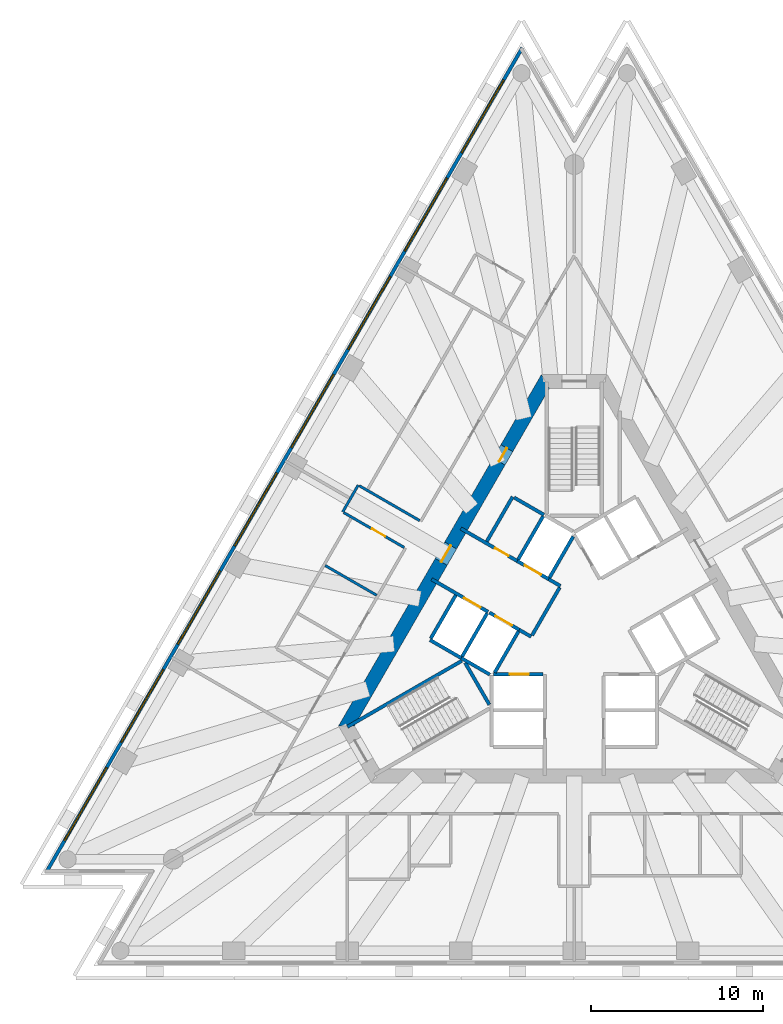
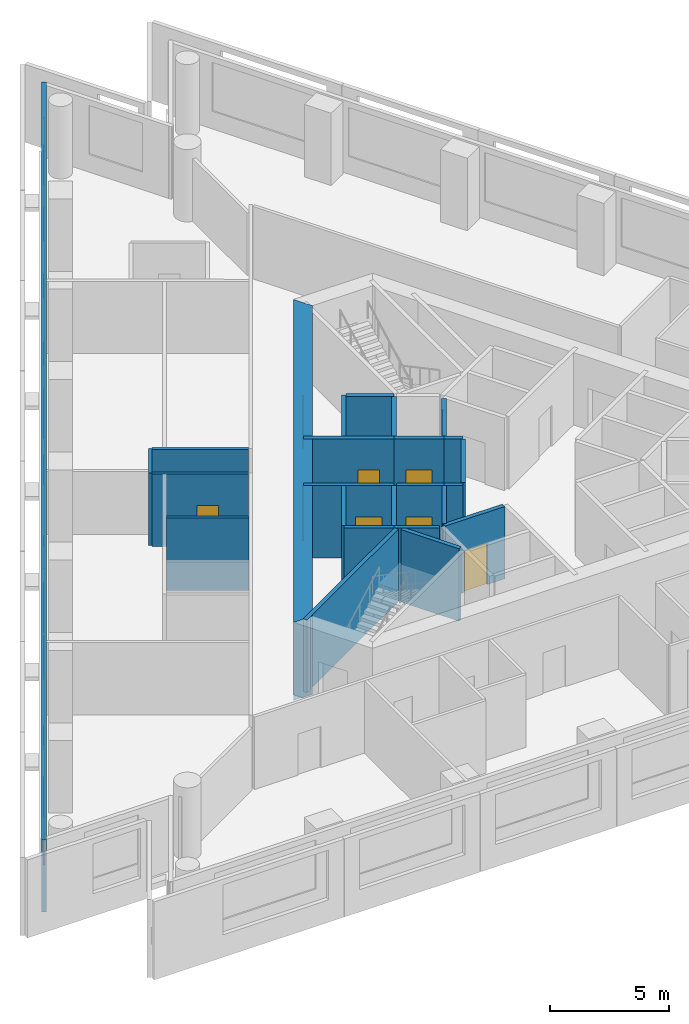
# One storey, part 4 of 10: 25 walls, 8 doors, 8 windows, 16 openings.
"""IFC4 building model written with IfcOpenShell, lengths in metres."""

from ifc_helpers import new_model, si_unit, direction, frame, frame_2d, origin, place, context, subcontext, project, spatial, polyline, rectangle, outline, extrude, material, layer, layer_set, layer_usage, type_object, element, fill, save


model = new_model("IFC4")

# Units and contexts
model_context = context("Model", 3, precision=1e-05, world=origin(), true_north=direction((0.0, 1.0)))
body_context = subcontext(model_context, "Body", "Model", "MODEL_VIEW")
ifc_project = project(units=[si_unit("LENGTHUNIT", "METRE"), si_unit("AREAUNIT", "SQUARE_METRE"), si_unit("VOLUMEUNIT", "CUBIC_METRE"), si_unit("PLANEANGLEUNIT", "RADIAN"), si_unit("MASSUNIT", "GRAM", prefix="KILO")], contexts=[model_context])

# Site, building, storey
site_placement = place(None, origin())
site = spatial("IfcSite", under=ifc_project, at=site_placement, CompositionType="ELEMENT")
building_placement = place(site_placement, origin())
building = spatial("IfcBuilding", under=site, at=building_placement, Name="Triada Interchange Tower", CompositionType="ELEMENT")
storey_placement = place(building_placement, frame((0.0, 0.0, 152.300048828125)))
storey = spatial("IfcBuildingStorey", under=building, at=storey_placement, Name="L35", CompositionType="ELEMENT", Elevation=152.300048828125)

# Walls
ifc_material_1 = material(Name="Concrete C30/37", Category="concrete")
ifc_layer_1 = layer(ifc_material_1, 0.199951171875)
ifc_layer_set_1 = layer_set([ifc_layer_1], Name="CORE WALL 200 EI 120")
wall_type_1 = type_object("IfcWallType", Name="CORE WALL 200 EI 120", PredefinedType="SOLIDWALL", material=ifc_layer_set_1)
wall_1_placement = place(storey_placement, frame((-8.3759765625, -0.70703125, 0.0), z_axis=(0.0, 0.0, 1.0), x_axis=(0.866067520717, -0.499927044236, 0.0)))
element("IfcWall", 1, at=wall_1_placement, inside=storey, type_object=wall_type_1, Name="Wall L35 51", PredefinedType="SOLIDWALL", context=body_context, shape_type="SweptSolid", body=[
    extrude(rectangle(XDim=2.100341796875, YDim=0.199951171875, at=frame_2d((1.05029296875, 0.0))), origin(), (0.0, 0.0, 1.0), 3.699951171875),
])
wall_2_placement = place(storey_placement, frame((-8.325927734375, -0.6201171875, 0.0), z_axis=(0.0, 0.0, 1.0), x_axis=(0.500023687443, 0.866011727401, 0.0)))
element("IfcWall", 2, at=wall_2_placement, inside=storey, type_object=wall_type_1, Name="Wall L35 52", PredefinedType="SOLIDWALL", context=body_context, shape_type="SweptSolid", body=[
    extrude(rectangle(XDim=2.899658203125, YDim=0.199951171875, at=frame_2d((1.44970703125, 0.0))), origin(), (0.0, 0.0, 1.0), 3.699951171875),
])

# Wall, opening, door
wall_3_placement = place(storey_placement, frame((-4.676025390625, -2.699951171875, 0.0), z_axis=(0.0, 0.0, 1.0), x_axis=(1.0, 0.0, 0.0)))
wall_3 = element("IfcWall", 3, at=wall_3_placement, inside=storey, type_object=wall_type_1, Name="Wall L35 59", PredefinedType="SOLIDWALL", context=body_context, shape_type="SweptSolid", body=[
    extrude(rectangle(XDim=2.873046875, YDim=0.199951171875, at=frame_2d((1.4365234375, 0.0))), origin(), (0.0, 0.0, 1.0), 3.699951171875),
])
opening_1_placement = place(wall_3_placement, frame((0.93701171875, 0.0, 0.0)))
opening_1 = element("IfcOpeningElement", 4, at=opening_1_placement, cuts=wall_3, Name="Opening LD-LR3", PredefinedType="OPENING", context=body_context, shape_type="SweptSolid", body=[
    extrude(rectangle(XDim=1.10009765625, YDim=2.10009765625, at=frame_2d((0.550048828125, 1.050048828125))), frame((0.0, 0.10986328125, 0.0), z_axis=(0.0, -1.0, 0.0), x_axis=(1.0, 0.0, 0.0)), (0.0, 0.0, 1.0), 0.219970703125),
])
ifc_material_2 = material(Name="Steel S235 door leaf", Category="steel")
door_type_1 = type_object("IfcDoorType", Name="LIFT LANDING DOOR 1100 EI 120", OperationType="SLIDING_TO_LEFT", PredefinedType="DOOR", material=ifc_material_2)
door_1_placement = place(opening_1_placement, origin())
door_1 = element("IfcDoor", 5, at=door_1_placement, inside=storey, type_object=door_type_1, Name="LR3 landing door L35", OperationType="SLIDING_TO_LEFT", OverallHeight=2.10009765625, OverallWidth=1.10009765625, PredefinedType="DOOR", context=body_context, shape_type="SweptSolid", body=[
    extrude(rectangle(XDim=1.10009765625, YDim=2.10009765625, at=frame_2d((0.550048828125, 1.050048828125))), frame((0.0, 0.02490234375, 0.0), z_axis=(0.0, -1.0, 0.0), x_axis=(1.0, 0.0, 0.0)), (0.0, 0.0, 1.0), 0.050048828125),
])
fill(opening_1, door_1)

ifc_layer_2 = layer(ifc_material_1, 0.199951171875)
ifc_layer_set_2 = layer_set([ifc_layer_2], Name="CORE WALL 200 EI 180")
wall_type_2 = type_object("IfcWallType", Name="CORE WALL 200 EI 180", PredefinedType="SOLIDWALL", material=ifc_layer_set_2)
wall_4_placement = place(storey_placement, frame((-8.280029296875, 2.818115234375, 0.0), z_axis=(0.0, 0.0, 1.0), x_axis=(0.86600175068, -0.50004096614, 0.0)))
wall_4 = element("IfcWall", 6, at=wall_4_placement, inside=storey, type_object=wall_type_2, Name="Wall L35 73", PredefinedType="SOLIDWALL", context=body_context, shape_type="SweptSolid", body=[
    extrude(rectangle(XDim=3.781982421875, YDim=0.199951171875, at=frame_2d((1.89111328125, 0.0))), origin(), (0.0, 0.0, 1.0), 3.699951171875),
])
opening_2_placement = place(wall_4_placement, frame((2.179931640625, 0.0, 0.0)))
opening_2 = element("IfcOpeningElement", 7, at=opening_2_placement, cuts=wall_4, Name="Opening LD-SV1", PredefinedType="OPENING", context=body_context, shape_type="SweptSolid", body=[
    extrude(rectangle(XDim=1.10009765625, YDim=2.10009765625, at=frame_2d((0.550048828125, 1.050048828125))), frame((0.0, 0.10986328125, 0.0), z_axis=(0.0, -1.0, 0.0), x_axis=(1.0, 0.0, 0.0)), (0.0, 0.0, 1.0), 0.219970703125),
])
door_2_placement = place(opening_2_placement, origin())
door_2 = element("IfcDoor", 8, at=door_2_placement, inside=storey, type_object=door_type_1, Name="SV1 landing door L35", OperationType="SLIDING_TO_LEFT", OverallHeight=2.10009765625, OverallWidth=1.10009765625, PredefinedType="DOOR", context=body_context, shape_type="SweptSolid", body=[
    extrude(rectangle(XDim=1.10009765625, YDim=2.10009765625, at=frame_2d((0.550048828125, 1.050048828125))), frame((0.0, 0.02490234375, 0.0), z_axis=(0.0, -1.0, 0.0), x_axis=(1.0, 0.0, 0.0)), (0.0, 0.0, 1.0), 0.050048828125),
])
fill(opening_2, door_2)

# Wall
wall_5_placement = place(storey_placement, frame((-3.18798828125, -0.1220703125, 0.0), z_axis=(0.0, 0.0, 1.0), x_axis=(0.865705793592, -0.50055317294, 0.0)))
element("IfcWall", 9, at=wall_5_placement, inside=storey, type_object=wall_type_2, Name="Wall L35 74", PredefinedType="SOLIDWALL", context=body_context, shape_type="SweptSolid", body=[
    extrude(rectangle(XDim=0.796875, YDim=0.199951171875, at=frame_2d((0.3984375, 0.0))), origin(), (0.0, 0.0, 1.0), 3.699951171875),
])

# Wall, opening, door
wall_6_placement = place(storey_placement, frame((-6.580078125, 5.761962890625, 0.0), z_axis=(0.0, 0.0, 1.0), x_axis=(0.866029704776, -0.49999255039, 0.0)))
wall_6 = element("IfcWall", 10, at=wall_6_placement, inside=storey, type_object=wall_type_2, Name="Wall L35 75", PredefinedType="SOLIDWALL", context=body_context, shape_type="SweptSolid", body=[
    extrude(rectangle(XDim=3.78173828125, YDim=0.199951171875, at=frame_2d((1.890869140625, 0.0))), origin(), (0.0, 0.0, 1.0), 3.699951171875),
])
opening_3_placement = place(wall_6_placement, frame((2.279052734375, 0.0, 0.0)))
opening_3 = element("IfcOpeningElement", 11, at=opening_3_placement, cuts=wall_6, Name="Opening D35-10", PredefinedType="OPENING", context=body_context, shape_type="SweptSolid", body=[
    extrude(rectangle(XDim=0.89990234375, YDim=2.10009765625, at=frame_2d((0.449951171875, 1.050048828125))), frame((0.0, 0.10986328125, 0.0), z_axis=(0.0, -1.0, 0.0), x_axis=(1.0, 0.0, 0.0)), (0.0, 0.0, 1.0), 0.219970703125),
])
door_type_2 = type_object("IfcDoorType", Name="SERVICE DOOR 900 EI2 90-C5S200", OperationType="NOTDEFINED", PredefinedType="DOOR", material=ifc_material_2)
door_3_placement = place(opening_3_placement, origin())
door_3 = element("IfcDoor", 12, at=door_3_placement, inside=storey, type_object=door_type_2, Name="Door D35-10 L35", OperationType="SINGLE_SWING_LEFT", OverallHeight=2.10009765625, OverallWidth=0.89990234375, PredefinedType="DOOR", context=body_context, shape_type="SweptSolid", body=[
    extrude(rectangle(XDim=0.89990234375, YDim=2.10009765625, at=frame_2d((0.449951171875, 1.050048828125))), frame((0.0, 0.02490234375, 0.0), z_axis=(0.0, -1.0, 0.0), x_axis=(1.0, 0.0, 0.0)), (0.0, 0.0, 1.0), 0.050048828125),
])
fill(opening_3, door_3)

# Walls
wall_7_placement = place(storey_placement, frame((-1.488037109375, 2.822021484375, 0.0), z_axis=(0.0, 0.0, 1.0), x_axis=(0.866236612152, -0.499633997809, 0.0)))
element("IfcWall", 13, at=wall_7_placement, inside=storey, type_object=wall_type_2, Name="Wall L35 76", PredefinedType="SOLIDWALL", context=body_context, shape_type="SweptSolid", body=[
    extrude(rectangle(XDim=0.79638671875, YDim=0.199951171875, at=frame_2d((0.398193359375, 0.0))), origin(), (0.0, 0.0, 1.0), 3.699951171875),
])
wall_8_placement = place(storey_placement, frame((-5.075927734375, 5.009033203125, 0.0), z_axis=(0.0, 0.0, 1.0), x_axis=(0.50002537861, 0.866010750942, 0.0)))
element("IfcWall", 14, at=wall_8_placement, inside=storey, type_object=wall_type_2, Name="Wall L35 77", PredefinedType="SOLIDWALL", context=body_context, shape_type="SweptSolid", body=[
    extrude(rectangle(XDim=2.999755859375, YDim=0.199951171875, at=frame_2d((1.5, 0.0))), origin(), (0.0, 0.0, 1.0), 3.699951171875),
])
wall_9_placement = place(storey_placement, frame((-3.489013671875, 7.556884765625, 0.0), z_axis=(0.0, 0.0, 1.0), x_axis=(0.866010750942, -0.50002537861, 0.0)))
element("IfcWall", 15, at=wall_9_placement, inside=storey, type_object=wall_type_2, Name="Wall L35 78", PredefinedType="SOLIDWALL", context=body_context, shape_type="SweptSolid", body=[
    extrude(rectangle(XDim=2.0, YDim=0.199951171875, at=frame_2d((1.0, 0.0))), origin(), (0.0, 0.0, 1.0), 3.699951171875),
])
wall_10_placement = place(storey_placement, frame((-2.444091796875, -0.43310546875, 0.0), z_axis=(0.0, 0.0, 1.0), x_axis=(0.500035624827, 0.866004834804, 0.0)))
element("IfcWall", 16, at=wall_10_placement, inside=storey, type_object=wall_type_2, Name="Wall L35 79", PredefinedType="SOLIDWALL", context=body_context, shape_type="SweptSolid", body=[
    extrude(rectangle(XDim=3.194091796875, YDim=0.199951171875, at=frame_2d((1.59716796875, 0.0))), origin(), (0.0, 0.0, 1.0), 3.699951171875),
])
wall_11_placement = place(storey_placement, frame((-6.556884765625, -1.757080078125, 0.0), z_axis=(0.0, 0.0, 1.0), x_axis=(0.8659754619, -0.500086491905, 0.0)))
element("IfcWall", 17, at=wall_11_placement, inside=storey, type_object=wall_type_2, Name="Shaft wall FF1 L35 80", PredefinedType="SOLIDWALL", context=body_context, shape_type="SweptSolid", body=[
    extrude(rectangle(XDim=1.915771484375, YDim=0.199951171875, at=frame_2d((0.9580078125, 0.0))), origin(), (0.0, 0.0, 1.0), 3.699951171875),
])
wall_12_placement = place(storey_placement, frame((-6.507080078125, -1.669921875, 0.0), z_axis=(0.0, 0.0, 1.0), x_axis=(0.50012328804, 0.865954211699, 0.0)))
element("IfcWall", 18, at=wall_12_placement, inside=storey, type_object=wall_type_2, Name="Shaft wall FF1 L35 81", PredefinedType="SOLIDWALL", context=body_context, shape_type="SweptSolid", body=[
    extrude(rectangle(XDim=2.899658203125, YDim=0.199951171875, at=frame_2d((1.44970703125, 0.0))), origin(), (0.0, 0.0, 1.0), 3.699951171875),
])

# Wall, opening, door
wall_13_placement = place(storey_placement, frame((-4.919921875, 0.8779296875, 0.0), z_axis=(0.0, 0.0, 1.0), x_axis=(0.866010750942, -0.50002537861, 0.0)))
wall_13 = element("IfcWall", 19, at=wall_13_placement, inside=storey, type_object=wall_type_2, Name="Shaft wall FF1 L35 82", PredefinedType="SOLIDWALL", context=body_context, shape_type="SweptSolid", body=[
    extrude(rectangle(XDim=2.0, YDim=0.199951171875, at=frame_2d((1.0, 0.0))), origin(), (0.0, 0.0, 1.0), 3.699951171875),
])
opening_4_placement = place(wall_13_placement, frame((0.39990234375, 0.0, 0.0)))
opening_4 = element("IfcOpeningElement", 20, at=opening_4_placement, cuts=wall_13, Name="Opening LD-FF1", PredefinedType="OPENING", context=body_context, shape_type="SweptSolid", body=[
    extrude(rectangle(XDim=1.10009765625, YDim=2.10009765625, at=frame_2d((0.550048828125, 1.050048828125))), frame((0.0, 0.10986328125, 0.0), z_axis=(0.0, -1.0, 0.0), x_axis=(1.0, 0.0, 0.0)), (0.0, 0.0, 1.0), 0.219970703125),
])
door_4_placement = place(opening_4_placement, origin())
door_4 = element("IfcDoor", 21, at=door_4_placement, inside=storey, type_object=door_type_1, Name="FF1 landing door L35", OperationType="SLIDING_TO_LEFT", OverallHeight=2.10009765625, OverallWidth=1.10009765625, PredefinedType="DOOR", context=body_context, shape_type="SweptSolid", body=[
    extrude(rectangle(XDim=1.10009765625, YDim=2.10009765625, at=frame_2d((0.550048828125, 1.050048828125))), frame((0.0, 0.02490234375, 0.0), z_axis=(0.0, -1.0, 0.0), x_axis=(1.0, 0.0, 0.0)), (0.0, 0.0, 1.0), 0.050048828125),
])
fill(opening_4, door_4)

# Wall
wall_14_placement = place(storey_placement, frame((-4.618896484375, -2.60009765625, 0.0), z_axis=(0.0, 0.0, 1.0), x_axis=(0.50009492287, 0.865970593103, 0.0)))
element("IfcWall", 22, at=wall_14_placement, inside=storey, type_object=wall_type_2, Name="Shaft wall FF1 L35 83", PredefinedType="SOLIDWALL", context=body_context, shape_type="SweptSolid", body=[
    extrude(rectangle(XDim=2.76123046875, YDim=0.199951171875, at=frame_2d((1.380615234375, 0.0))), origin(), (0.0, 0.0, 1.0), 3.699951171875),
])

# Wall, opening, door
wall_15_placement = place(storey_placement, frame((-3.30908203125, 3.873046875, 0.0), z_axis=(0.0, 0.0, 1.0), x_axis=(0.866098583652, -0.499873227325, 0.0)))
wall_15 = element("IfcWall", 23, at=wall_15_placement, inside=storey, type_object=wall_type_2, Name="Shaft wall FF2 L35 84", PredefinedType="SOLIDWALL", context=body_context, shape_type="SweptSolid", body=[
    extrude(rectangle(XDim=2.1025390625, YDim=0.199951171875, at=frame_2d((1.05126953125, 0.0))), origin(), (0.0, 0.0, 1.0), 3.699951171875),
])
opening_5_placement = place(wall_15_placement, frame((0.501953125, 0.0, 0.0)))
opening_5 = element("IfcOpeningElement", 24, at=opening_5_placement, cuts=wall_15, Name="Opening LD-FF2", PredefinedType="OPENING", context=body_context, shape_type="SweptSolid", body=[
    extrude(rectangle(XDim=1.10009765625, YDim=2.10009765625, at=frame_2d((0.550048828125, 1.050048828125))), frame((0.0, 0.10986328125, 0.0), z_axis=(0.0, -1.0, 0.0), x_axis=(1.0, 0.0, 0.0)), (0.0, 0.0, 1.0), 0.219970703125),
])
door_5_placement = place(opening_5_placement, origin())
door_5 = element("IfcDoor", 25, at=door_5_placement, inside=storey, type_object=door_type_1, Name="FF2 landing door L35", OperationType="SLIDING_TO_LEFT", OverallHeight=2.10009765625, OverallWidth=1.10009765625, PredefinedType="DOOR", context=body_context, shape_type="SweptSolid", body=[
    extrude(rectangle(XDim=1.10009765625, YDim=2.10009765625, at=frame_2d((0.550048828125, 1.050048828125))), frame((0.0, 0.02490234375, 0.0), z_axis=(0.0, -1.0, 0.0), x_axis=(1.0, 0.0, 0.0)), (0.0, 0.0, 1.0), 0.050048828125),
])
fill(opening_5, door_5)

# Walls
wall_16_placement = place(storey_placement, frame((-3.257080078125, 3.958984375, 0.0), z_axis=(0.0, 0.0, 1.0), x_axis=(0.50012328804, 0.865954211699, 0.0)))
element("IfcWall", 26, at=wall_16_placement, inside=storey, type_object=wall_type_2, Name="Shaft wall FF2 L35 85", PredefinedType="SOLIDWALL", context=body_context, shape_type="SweptSolid", body=[
    extrude(rectangle(XDim=2.899658203125, YDim=0.199951171875, at=frame_2d((1.44970703125, 0.0))), origin(), (0.0, 0.0, 1.0), 3.699951171875),
])
wall_17_placement = place(storey_placement, frame((-1.43798828125, 2.908935546875, 0.0), z_axis=(0.0, 0.0, 1.0), x_axis=(0.499829630636, 0.866123744241, 0.0)))
element("IfcWall", 27, at=wall_17_placement, inside=storey, type_object=wall_type_2, Name="Shaft wall FF2 L35 87", PredefinedType="SOLIDWALL", context=body_context, shape_type="SweptSolid", body=[
    extrude(rectangle(XDim=2.7607421875, YDim=0.199951171875, at=frame_2d((1.38037109375, 0.0))), origin(), (0.0, 0.0, 1.0), 3.699951171875),
])
ifc_layer_3 = layer(ifc_material_1, 0.199951171875)
ifc_layer_set_3 = layer_set([ifc_layer_3], Name="CORE WALL 200 REI 240")
wall_type_3 = type_object("IfcWallType", Name="CORE WALL 200 REI 240", PredefinedType="SOLIDWALL", material=ifc_layer_set_3)
wall_18_placement = place(storey_placement, frame((-13.1669921875, -5.75390625, 0.0), z_axis=(0.0, 0.0, 1.0), x_axis=(0.866060938598, 0.499938446846, 0.0)))
element("IfcWall", 28, at=wall_18_placement, inside=storey, type_object=wall_type_3, Name="Wall L35 89", PredefinedType="SOLIDWALL", context=body_context, shape_type="SweptSolid", body=[
    extrude(rectangle(XDim=7.66455078125, YDim=0.199951171875, at=frame_2d((3.832275390625, 0.0))), origin(), (0.0, 0.0, 1.0), 3.699951171875),
])
wall_19_placement = place(storey_placement, frame((-6.3291015625, -2.0380859375, 0.0), z_axis=(0.0, 0.0, 1.0), x_axis=(0.500200581029, -0.865909567298, 0.0)))
element("IfcWall", 29, at=wall_19_placement, inside=storey, type_object=wall_type_3, Name="Wall L35 90", PredefinedType="SOLIDWALL", context=body_context, shape_type="SweptSolid", body=[
    extrude(rectangle(XDim=2.799072265625, YDim=0.199951171875, at=frame_2d((1.3994140625, 0.0))), origin(), (0.0, 0.0, 1.0), 3.699951171875),
])

# Wall, openings, doors
ifc_material_3 = material(Name="Concrete C60/75", Category="concrete")
ifc_layer_4 = layer(ifc_material_3, 0.800048828125)
ifc_layer_set_4 = layer_set([ifc_layer_4], Name="Core wall B 800")
wall_type_4 = type_object("IfcWallType", Name="Core wall B 800", PredefinedType="SHEAR", material=ifc_layer_set_4)
wall_20_placement = place(storey_placement, frame((-1.674072265625, 14.300048828125, -0.300048828125), z_axis=(0.0, 0.0, 1.0), x_axis=(-0.499995765644, -0.866027848477, 0.0)))
wall_20 = element("IfcWall", 30, at=wall_20_placement, inside=storey, type_object=wall_type_4, Name="Core wall WB02 L35", PredefinedType="SHEAR", context=body_context, shape_type="SweptSolid", body=[
    extrude(outline(polyline([(-0.23095703125, -0.39990234375), (1.73193359375, -0.39990234375), (3.695068359375, -0.39990234375), (5.657958984375, -0.39990234375), (7.62109375, -0.39990234375), (9.583984375, -0.39990234375), (11.546875, -0.39990234375), (13.510009765625, -0.39990234375), (15.472900390625, -0.39990234375), (17.43603515625, -0.39990234375), (19.39892578125, -0.39990234375), (21.362060546875, -0.39990234375), (23.324951171875, -0.39990234375), (22.863037109375, 0.39990234375), (20.97705078125, 0.39990234375), (19.091064453125, 0.39990234375), (17.205078125, 0.39990234375), (15.319091796875, 0.39990234375), (13.43310546875, 0.39990234375), (11.546875, 0.39990234375), (9.660888671875, 0.39990234375), (7.77490234375, 0.39990234375), (5.888916015625, 0.39990234375), (4.0029296875, 0.39990234375), (2.116943359375, 0.39990234375), (0.23095703125, 0.39990234375), (-0.23095703125, -0.39990234375)])), origin(), (0.0, 0.0, 1.0), 4.0),
])
opening_6_placement = place(wall_20_placement, frame((10.9970703125, 0.0, 0.300048828125)))
opening_6 = element("IfcOpeningElement", 31, at=opening_6_placement, cuts=wall_20, Name="Opening D35-40", PredefinedType="OPENING", context=body_context, shape_type="SweptSolid", body=[
    extrude(rectangle(XDim=1.10009765625, YDim=2.10009765625, at=frame_2d((0.550048828125, 1.050048828125))), frame((0.0, 0.409912109375, 0.0), z_axis=(0.0, -1.0, 0.0), x_axis=(1.0, 0.0, 0.0)), (0.0, 0.0, 1.0), 0.820068359375),
])
opening_7_placement = place(wall_20_placement, frame((4.47412109375, 0.0, 0.300048828125)))
opening_7 = element("IfcOpeningElement", 32, at=opening_7_placement, cuts=wall_20, Name="Opening D35-42", PredefinedType="OPENING", context=body_context, shape_type="SweptSolid", body=[
    extrude(rectangle(XDim=0.89990234375, YDim=2.10009765625, at=frame_2d((0.449951171875, 1.050048828125))), frame((0.0, 0.409912109375, 0.0), z_axis=(0.0, -1.0, 0.0), x_axis=(1.0, 0.0, 0.0)), (0.0, 0.0, 1.0), 0.820068359375),
])
door_type_3 = type_object("IfcDoorType", Name="FIRE LOBBY DOOR 1100 EI2 90-C5S200", OperationType="NOTDEFINED", PredefinedType="DOOR", material=ifc_material_2)
door_6_placement = place(opening_6_placement, origin())
door_6 = element("IfcDoor", 33, at=door_6_placement, inside=storey, type_object=door_type_3, Name="Door D35-40 L35", OperationType="SINGLE_SWING_LEFT", OverallHeight=2.10009765625, OverallWidth=1.10009765625, PredefinedType="DOOR", context=body_context, shape_type="SweptSolid", body=[
    extrude(rectangle(XDim=1.10009765625, YDim=2.10009765625, at=frame_2d((0.550048828125, 1.050048828125))), frame((0.0, 0.02490234375, 0.0), z_axis=(0.0, -1.0, 0.0), x_axis=(1.0, 0.0, 0.0)), (0.0, 0.0, 1.0), 0.050048828125),
])
fill(opening_6, door_6)
door_type_4 = type_object("IfcDoorType", Name="RISER ACCESS DOOR 900 EI2 45-C5S200", OperationType="NOTDEFINED", PredefinedType="DOOR", material=ifc_material_2)
door_7_placement = place(opening_7_placement, origin())
door_7 = element("IfcDoor", 34, at=door_7_placement, inside=storey, type_object=door_type_4, Name="Door D35-42 L35", OperationType="SINGLE_SWING_RIGHT", OverallHeight=2.10009765625, OverallWidth=0.89990234375, PredefinedType="DOOR", context=body_context, shape_type="SweptSolid", body=[
    extrude(rectangle(XDim=0.89990234375, YDim=2.10009765625, at=frame_2d((0.449951171875, 1.050048828125))), frame((0.0, 0.02490234375, 0.0), z_axis=(0.0, -1.0, 0.0), x_axis=(1.0, 0.0, 0.0)), (0.0, 0.0, 1.0), 0.050048828125),
])
fill(opening_7, door_7)

# Wall, openings, windows
ifc_material_4 = material(Name="Cement board")
ifc_layer_5 = layer(ifc_material_4, 0.02001953125, Name="Cement board cladding")
ifc_material_5 = material(Name="Sheathing board")
ifc_layer_6 = layer(ifc_material_5, 0.014892578125, Name="Sheathing board")
ifc_material_6 = material(Name="Mineral wool")
ifc_layer_7 = layer(ifc_material_6, 0.14990234375, Name="Mineral wool between steel studs")
ifc_material_7 = material(Name="Gypsum board")
ifc_layer_8 = layer(ifc_material_7, 0.014892578125, Name="Plasterboard lining")
ifc_layer_set_5 = layer_set([ifc_layer_5, ifc_layer_6, ifc_layer_7, ifc_layer_8], Name="External wall 200")
ifc_layer_usage = layer_usage(ifc_layer_set_5, "AXIS2", "POSITIVE", -0.10009765625)
wall_type_5 = type_object("IfcWallType", Name="External wall 200", PredefinedType="ELEMENTEDWALL", material=ifc_layer_set_5)
wall_21_placement = place(storey_placement, frame((-3.01806640625, 33.666015625, 0.0), z_axis=(0.0, 0.0, 1.0), x_axis=(-0.499984613623, -0.866034286931, 0.0)))
wall_21 = element("IfcWall", 35, at=wall_21_placement, inside=storey, type_object=wall_type_5, material=ifc_layer_usage, Name="External wall L35 NW", PredefinedType="ELEMENTEDWALL", context=body_context, shape_type="SweptSolid", body=[
    extrude(rectangle(XDim=55.273681640625, YDim=0.199951171875, at=frame_2d((27.63671875, 0.0))), origin(), (0.0, 0.0, 1.0), 3.699951171875),
])
opening_8_placement = place(wall_21_placement, frame((2.14501953125, 0.0, 0.89990234375)))
opening_8 = element("IfcOpeningElement", 36, at=opening_8_placement, cuts=wall_21, Name="Opening WB01", PredefinedType="OPENING", context=body_context, shape_type="SweptSolid", body=[
    extrude(rectangle(XDim=4.89990234375, YDim=2.5, at=frame_2d((2.449951171875, 1.25))), frame((0.0, 0.10986328125, 0.0), z_axis=(0.0, -1.0, 0.0), x_axis=(1.0, 0.0, 0.0)), (0.0, 0.0, 1.0), 0.219970703125),
])
opening_9_placement = place(wall_21_placement, frame((8.73095703125, 0.0, 0.89990234375)))
opening_9 = element("IfcOpeningElement", 37, at=opening_9_placement, cuts=wall_21, Name="Opening WB02", PredefinedType="OPENING", context=body_context, shape_type="SweptSolid", body=[
    extrude(rectangle(XDim=4.89990234375, YDim=2.5, at=frame_2d((2.449951171875, 1.25))), frame((0.0, 0.10986328125, 0.0), z_axis=(0.0, -1.0, 0.0), x_axis=(1.0, 0.0, 0.0)), (0.0, 0.0, 1.0), 0.219970703125),
])
opening_10_placement = place(wall_21_placement, frame((15.318115234375, 0.0, 0.89990234375)))
opening_10 = element("IfcOpeningElement", 38, at=opening_10_placement, cuts=wall_21, Name="Opening WB03", PredefinedType="OPENING", context=body_context, shape_type="SweptSolid", body=[
    extrude(rectangle(XDim=4.89990234375, YDim=2.5, at=frame_2d((2.449951171875, 1.25))), frame((0.0, 0.10986328125, 0.0), z_axis=(0.0, -1.0, 0.0), x_axis=(1.0, 0.0, 0.0)), (0.0, 0.0, 1.0), 0.219970703125),
])
opening_11_placement = place(wall_21_placement, frame((21.904052734375, 0.0, 0.89990234375)))
opening_11 = element("IfcOpeningElement", 39, at=opening_11_placement, cuts=wall_21, Name="Opening WB04", PredefinedType="OPENING", context=body_context, shape_type="SweptSolid", body=[
    extrude(rectangle(XDim=4.89990234375, YDim=2.5, at=frame_2d((2.449951171875, 1.25))), frame((0.0, 0.10986328125, 0.0), z_axis=(0.0, -1.0, 0.0), x_axis=(1.0, 0.0, 0.0)), (0.0, 0.0, 1.0), 0.219970703125),
])
opening_12_placement = place(wall_21_placement, frame((28.489990234375, 0.0, 0.89990234375)))
opening_12 = element("IfcOpeningElement", 40, at=opening_12_placement, cuts=wall_21, Name="Opening WB05", PredefinedType="OPENING", context=body_context, shape_type="SweptSolid", body=[
    extrude(rectangle(XDim=4.89990234375, YDim=2.5, at=frame_2d((2.449951171875, 1.25))), frame((0.0, 0.10986328125, 0.0), z_axis=(0.0, -1.0, 0.0), x_axis=(1.0, 0.0, 0.0)), (0.0, 0.0, 1.0), 0.219970703125),
])
opening_13_placement = place(wall_21_placement, frame((35.075927734375, 0.0, 0.89990234375)))
opening_13 = element("IfcOpeningElement", 41, at=opening_13_placement, cuts=wall_21, Name="Opening WB06", PredefinedType="OPENING", context=body_context, shape_type="SweptSolid", body=[
    extrude(rectangle(XDim=4.89990234375, YDim=2.5, at=frame_2d((2.449951171875, 1.25))), frame((0.0, 0.10986328125, 0.0), z_axis=(0.0, -1.0, 0.0), x_axis=(1.0, 0.0, 0.0)), (0.0, 0.0, 1.0), 0.219970703125),
])
opening_14_placement = place(wall_21_placement, frame((41.662109375, 0.0, 0.89990234375)))
opening_14 = element("IfcOpeningElement", 42, at=opening_14_placement, cuts=wall_21, Name="Opening WB07", PredefinedType="OPENING", context=body_context, shape_type="SweptSolid", body=[
    extrude(rectangle(XDim=4.89990234375, YDim=2.5, at=frame_2d((2.449951171875, 1.25))), frame((0.0, 0.10986328125, 0.0), z_axis=(0.0, -1.0, 0.0), x_axis=(1.0, 0.0, 0.0)), (0.0, 0.0, 1.0), 0.219970703125),
])
opening_15_placement = place(wall_21_placement, frame((48.248046875, 0.0, 0.89990234375)))
opening_15 = element("IfcOpeningElement", 43, at=opening_15_placement, cuts=wall_21, Name="Opening WB08", PredefinedType="OPENING", context=body_context, shape_type="SweptSolid", body=[
    extrude(rectangle(XDim=4.89990234375, YDim=2.5, at=frame_2d((2.449951171875, 1.25))), frame((0.0, 0.10986328125, 0.0), z_axis=(0.0, -1.0, 0.0), x_axis=(1.0, 0.0, 0.0)), (0.0, 0.0, 1.0), 0.219970703125),
])
ifc_material_8 = material(Name="Double glazed aluminium window", Category="aluminium")
window_type = type_object("IfcWindowType", Name="Ribbon window B face", PartitioningType="SINGLE_PANEL", PredefinedType="WINDOW", material=ifc_material_8)
window_1_placement = place(opening_8_placement, origin())
window_1 = element("IfcWindow", 44, at=window_1_placement, inside=storey, type_object=window_type, Name="Window L35 NW 1", OverallHeight=2.5, OverallWidth=4.89990234375, PartitioningType="SINGLE_PANEL", PredefinedType="WINDOW", context=body_context, shape_type="SweptSolid", body=[
    extrude(rectangle(XDim=4.89990234375, YDim=2.5, at=frame_2d((2.449951171875, 1.25))), frame((0.0, 0.030029296875, 0.0), z_axis=(0.0, -1.0, 0.0), x_axis=(1.0, 0.0, 0.0)), (0.0, 0.0, 1.0), 0.06005859375),
])
fill(opening_8, window_1)
window_2_placement = place(opening_9_placement, origin())
window_2 = element("IfcWindow", 45, at=window_2_placement, inside=storey, type_object=window_type, Name="Window L35 NW 2", OverallHeight=2.5, OverallWidth=4.89990234375, PartitioningType="SINGLE_PANEL", PredefinedType="WINDOW", context=body_context, shape_type="SweptSolid", body=[
    extrude(rectangle(XDim=4.89990234375, YDim=2.5, at=frame_2d((2.449951171875, 1.25))), frame((0.0, 0.030029296875, 0.0), z_axis=(0.0, -1.0, 0.0), x_axis=(1.0, 0.0, 0.0)), (0.0, 0.0, 1.0), 0.06005859375),
])
fill(opening_9, window_2)
window_3_placement = place(opening_10_placement, origin())
window_3 = element("IfcWindow", 46, at=window_3_placement, inside=storey, type_object=window_type, Name="Window L35 NW 3", OverallHeight=2.5, OverallWidth=4.89990234375, PartitioningType="SINGLE_PANEL", PredefinedType="WINDOW", context=body_context, shape_type="SweptSolid", body=[
    extrude(rectangle(XDim=4.89990234375, YDim=2.5, at=frame_2d((2.449951171875, 1.25))), frame((0.0, 0.030029296875, 0.0), z_axis=(0.0, -1.0, 0.0), x_axis=(1.0, 0.0, 0.0)), (0.0, 0.0, 1.0), 0.06005859375),
])
fill(opening_10, window_3)
window_4_placement = place(opening_11_placement, origin())
window_4 = element("IfcWindow", 47, at=window_4_placement, inside=storey, type_object=window_type, Name="Window L35 NW 4", OverallHeight=2.5, OverallWidth=4.89990234375, PartitioningType="SINGLE_PANEL", PredefinedType="WINDOW", context=body_context, shape_type="SweptSolid", body=[
    extrude(rectangle(XDim=4.89990234375, YDim=2.5, at=frame_2d((2.449951171875, 1.25))), frame((0.0, 0.030029296875, 0.0), z_axis=(0.0, -1.0, 0.0), x_axis=(1.0, 0.0, 0.0)), (0.0, 0.0, 1.0), 0.06005859375),
])
fill(opening_11, window_4)
window_5_placement = place(opening_12_placement, origin())
window_5 = element("IfcWindow", 48, at=window_5_placement, inside=storey, type_object=window_type, Name="Window L35 NW 5", OverallHeight=2.5, OverallWidth=4.89990234375, PartitioningType="SINGLE_PANEL", PredefinedType="WINDOW", context=body_context, shape_type="SweptSolid", body=[
    extrude(rectangle(XDim=4.89990234375, YDim=2.5, at=frame_2d((2.449951171875, 1.25))), frame((0.0, 0.030029296875, 0.0), z_axis=(0.0, -1.0, 0.0), x_axis=(1.0, 0.0, 0.0)), (0.0, 0.0, 1.0), 0.06005859375),
])
fill(opening_12, window_5)
window_6_placement = place(opening_13_placement, origin())
window_6 = element("IfcWindow", 49, at=window_6_placement, inside=storey, type_object=window_type, Name="Window L35 NW 6", OverallHeight=2.5, OverallWidth=4.89990234375, PartitioningType="SINGLE_PANEL", PredefinedType="WINDOW", context=body_context, shape_type="SweptSolid", body=[
    extrude(rectangle(XDim=4.89990234375, YDim=2.5, at=frame_2d((2.449951171875, 1.25))), frame((0.0, 0.030029296875, 0.0), z_axis=(0.0, -1.0, 0.0), x_axis=(1.0, 0.0, 0.0)), (0.0, 0.0, 1.0), 0.06005859375),
])
fill(opening_13, window_6)
window_7_placement = place(opening_14_placement, origin())
window_7 = element("IfcWindow", 50, at=window_7_placement, inside=storey, type_object=window_type, Name="Window L35 NW 7", OverallHeight=2.5, OverallWidth=4.89990234375, PartitioningType="SINGLE_PANEL", PredefinedType="WINDOW", context=body_context, shape_type="SweptSolid", body=[
    extrude(rectangle(XDim=4.89990234375, YDim=2.5, at=frame_2d((2.449951171875, 1.25))), frame((0.0, 0.030029296875, 0.0), z_axis=(0.0, -1.0, 0.0), x_axis=(1.0, 0.0, 0.0)), (0.0, 0.0, 1.0), 0.06005859375),
])
fill(opening_14, window_7)
window_8_placement = place(opening_15_placement, origin())
window_8 = element("IfcWindow", 51, at=window_8_placement, inside=storey, type_object=window_type, Name="Window L35 NW 8", OverallHeight=2.5, OverallWidth=4.89990234375, PartitioningType="SINGLE_PANEL", PredefinedType="WINDOW", context=body_context, shape_type="SweptSolid", body=[
    extrude(rectangle(XDim=4.89990234375, YDim=2.5, at=frame_2d((2.449951171875, 1.25))), frame((0.0, 0.030029296875, 0.0), z_axis=(0.0, -1.0, 0.0), x_axis=(1.0, 0.0, 0.0)), (0.0, 0.0, 1.0), 0.06005859375),
])
fill(opening_15, window_8)

# Walls
ifc_material_9 = material(Name="Gypsum board partition")
ifc_layer_9 = layer(ifc_material_9, 0.14990234375)
ifc_layer_set_6 = layer_set([ifc_layer_9], Name="PARTITION 150 EI 180")
wall_type_6 = type_object("IfcWallType", Name="PARTITION 150 EI 180", PredefinedType="PARTITIONING", material=ifc_layer_set_6)
wall_22_placement = place(storey_placement, frame((-14.4560546875, 3.612060546875, 0.0), z_axis=(0.0, 0.0, 1.0), x_axis=(0.866031223622, -0.49998991961, 0.0)))
element("IfcWall", 52, at=wall_22_placement, inside=storey, type_object=wall_type_6, Name="Wall L35 13", PredefinedType="PARTITIONING", context=body_context, shape_type="SweptSolid", body=[
    extrude(rectangle(XDim=3.4501953125, YDim=0.14990234375, at=frame_2d((1.72509765625, 0.0))), origin(), (0.0, 0.0, 1.0), 3.699951171875),
])
wall_23_placement = place(storey_placement, frame((-13.43994140625, 6.720947265625, 0.0), z_axis=(0.0, 0.0, 1.0), x_axis=(0.499902469156, 0.866081705922, 0.0)))
element("IfcWall", 53, at=wall_23_placement, inside=storey, type_object=wall_type_6, Name="Wall L35 17", PredefinedType="PARTITIONING", context=body_context, shape_type="SweptSolid", body=[
    extrude(rectangle(XDim=1.800048828125, YDim=0.14990234375, at=frame_2d((0.89990234375, 0.0))), origin(), (0.0, 0.0, 1.0), 3.699951171875),
])
wall_24_placement = place(storey_placement, frame((-12.47509765625, 8.241943359375, 0.0), z_axis=(0.0, 0.0, 1.0), x_axis=(0.866060059865, -0.499939969103, 0.0)))
element("IfcWall", 54, at=wall_24_placement, inside=storey, type_object=wall_type_6, Name="Wall L35 18", PredefinedType="PARTITIONING", context=body_context, shape_type="SweptSolid", body=[
    extrude(rectangle(XDim=4.04833984375, YDim=0.14990234375, at=frame_2d((2.024169921875, 0.0))), origin(), (0.0, 0.0, 1.0), 3.699951171875),
])

# Wall, opening, door
wall_25_placement = place(storey_placement, frame((-13.375, 6.68310546875, 0.0), z_axis=(0.0, 0.0, 1.0), x_axis=(0.866033948129, -0.499985200469, 0.0)))
wall_25 = element("IfcWall", 55, at=wall_25_placement, inside=storey, type_object=wall_type_6, Name="Wall L35 19", PredefinedType="PARTITIONING", context=body_context, shape_type="SweptSolid", body=[
    extrude(rectangle(XDim=4.04833984375, YDim=0.14990234375, at=frame_2d((2.024169921875, 0.0))), origin(), (0.0, 0.0, 1.0), 3.699951171875),
])
opening_16_placement = place(wall_25_placement, frame((1.875, 0.0, 0.0)))
opening_16 = element("IfcOpeningElement", 56, at=opening_16_placement, cuts=wall_25, Name="Opening D35-32", PredefinedType="OPENING", context=body_context, shape_type="SweptSolid", body=[
    extrude(rectangle(XDim=0.89990234375, YDim=2.10009765625, at=frame_2d((0.449951171875, 1.050048828125))), frame((0.0, 0.0849609375, 0.0), z_axis=(0.0, -1.0, 0.0), x_axis=(1.0, 0.0, 0.0)), (0.0, 0.0, 1.0), 0.169921875),
])
door_type_5 = type_object("IfcDoorType", Name="ROOM DOOR 900 EI2 90-C5S200", OperationType="NOTDEFINED", PredefinedType="DOOR", material=ifc_material_2)
door_8_placement = place(opening_16_placement, origin())
door_8 = element("IfcDoor", 57, at=door_8_placement, inside=storey, type_object=door_type_5, Name="Door D35-32 L35", OperationType="SINGLE_SWING_LEFT", OverallHeight=2.10009765625, OverallWidth=0.89990234375, PredefinedType="DOOR", context=body_context, shape_type="SweptSolid", body=[
    extrude(rectangle(XDim=0.89990234375, YDim=2.10009765625, at=frame_2d((0.449951171875, 1.050048828125))), frame((0.0, 0.02490234375, 0.0), z_axis=(0.0, -1.0, 0.0), x_axis=(1.0, 0.0, 0.0)), (0.0, 0.0, 1.0), 0.050048828125),
])
fill(opening_16, door_8)

save(model, "model.ifc")
